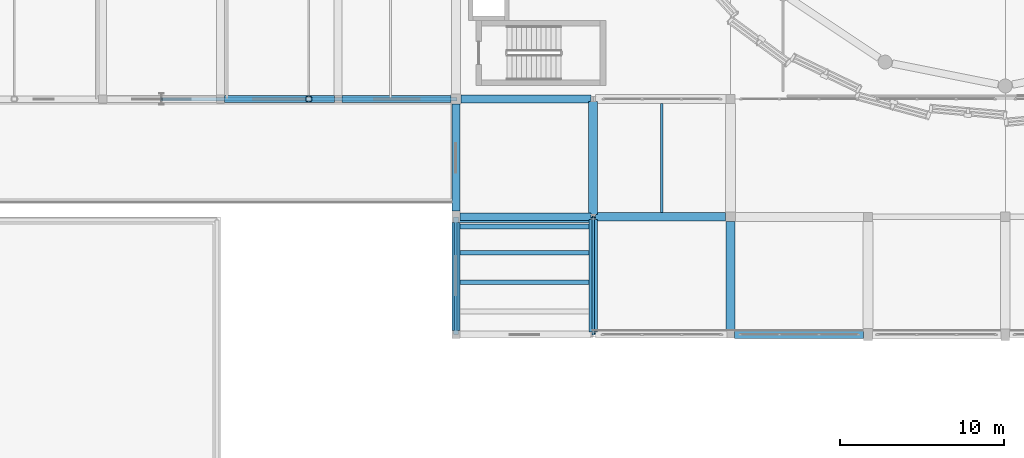
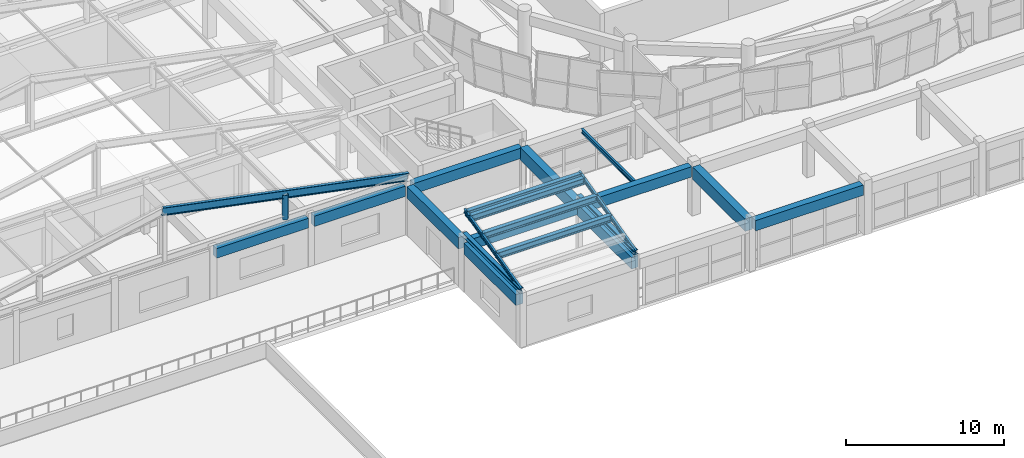
# One storey, part 8 of 74: 12 beams, 10 members.
"""IFC4 building model written with IfcOpenShell, lengths in metres."""

from ifc_helpers import new_model, si_unit, direction, frame, origin, origin_2d, place, context, subcontext, project, spatial, rectangle, hollow_circle, i_section, extrude, material, material_profile, profile_set, type_object, element, save


model = new_model("IFC4")

# Units and contexts
model_context = context("Model", 3, precision=1e-05, world=origin(), true_north=direction((0.0, 1.0)))
body_context = subcontext(model_context, "Body", "Model", "MODEL_VIEW")
ifc_project = project(units=[si_unit("LENGTHUNIT", "METRE"), si_unit("AREAUNIT", "SQUARE_METRE"), si_unit("VOLUMEUNIT", "CUBIC_METRE"), si_unit("PLANEANGLEUNIT", "RADIAN"), si_unit("MASSUNIT", "GRAM", prefix="KILO")], contexts=[model_context])

# Site, building, storey
site_placement = place(None, origin())
site = spatial("IfcSite", under=ifc_project, at=site_placement, CompositionType="ELEMENT")
building_placement = place(site_placement, origin())
building = spatial("IfcBuilding", under=site, at=building_placement, Name="Korsvaeld Concert Hall", CompositionType="ELEMENT")
storey_placement = place(building_placement, frame((0.0, 0.0, 9.0)))
storey = spatial("IfcBuildingStorey", under=building, at=storey_placement, Name="L02", CompositionType="ELEMENT", Elevation=9.0)

# Beams
ifc_material_1 = material(Name="Concrete C35/45", Category="concrete")
ifc_material_profile_1 = material_profile(ifc_material_1, rectangle(XDim=0.449951171875, YDim=0.75, at=origin_2d()), Name="RC 450x750")
ifc_profile_set_1 = profile_set([ifc_material_profile_1], Name="Concrete C35/45")
beam_type_1 = type_object("IfcBeamType", Name="BM-RC-450x750", PredefinedType="T_BEAM", material=ifc_profile_set_1)
beam_1_placement = place(storey_placement, frame((36.25, 43.199951171875, 3.465087890625), z_axis=(1.0, 0.0, 0.0), x_axis=(0.0, 1.0, 0.0)))
element("IfcBeam", 1, at=beam_1_placement, inside=storey, type_object=beam_type_1, Name="Primary girder 6-7/G L02", PredefinedType="T_BEAM", context=body_context, shape_type="SweptSolid", body=[
    extrude(rectangle(XDim=0.449951171875, YDim=0.75, at=origin_2d()), origin(), (0.0, 0.0, 1.0), 6.72509765625),
])
ifc_material_profile_2 = material_profile(ifc_material_1, rectangle(XDim=0.449951171875, YDim=0.800048828125, at=origin_2d()), Name="RC 450x800")
ifc_profile_set_2 = profile_set([ifc_material_profile_2], Name="Concrete C35/45")
beam_type_2 = type_object("IfcBeamType", Name="BM-RC-450x800", PredefinedType="T_BEAM", material=ifc_profile_set_2)
beam_2_placement = place(storey_placement, frame((50.64990234375, 36.0, 3.43994140625), z_axis=(1.0, 0.0, 0.0), x_axis=(0.0, 1.0, 0.0)))
element("IfcBeam", 2, at=beam_2_placement, inside=storey, type_object=beam_type_2, Name="Primary girder 8-9/F L02", PredefinedType="T_BEAM", context=body_context, shape_type="SweptSolid", body=[
    extrude(rectangle(XDim=0.449951171875, YDim=0.800048828125, at=origin_2d()), origin(), (0.0, 0.0, 1.0), 8.0),
])
beam_3_placement = place(storey_placement, frame((43.425048828125, 43.199951171875, 3.43994140625), z_axis=(1.0, 0.0, 0.0), x_axis=(0.0, 1.0, 0.0)))
element("IfcBeam", 3, at=beam_3_placement, inside=storey, type_object=beam_type_2, Name="Primary girder 7-8/G L02", PredefinedType="T_BEAM", context=body_context, shape_type="SweptSolid", body=[
    extrude(rectangle(XDim=0.449951171875, YDim=0.800048828125, at=origin_2d()), origin(), (0.0, 0.0, 1.0), 6.675048828125),
])
ifc_material_2 = material(Name="Concrete C40/50", Category="concrete")
ifc_material_profile_3 = material_profile(ifc_material_2, rectangle(XDim=0.5, YDim=0.800048828125, at=origin_2d()), Name="RC 500x800")
ifc_profile_set_3 = profile_set([ifc_material_profile_3], Name="Concrete C40/50")
beam_type_3 = type_object("IfcBeamType", Name="BM-RC-500x800", PredefinedType="T_BEAM", material=ifc_profile_set_3)
beam_4_placement = place(storey_placement, frame((67.425048828125, 28.800048828125, 3.43994140625), z_axis=(1.0, 0.0, 0.0), x_axis=(0.0, 1.0, 0.0)))
element("IfcBeam", 4, at=beam_4_placement, inside=storey, type_object=beam_type_3, Name="Primary girder 10-11/E L02", PredefinedType="T_BEAM", context=body_context, shape_type="SweptSolid", body=[
    extrude(rectangle(XDim=0.5, YDim=0.800048828125, at=origin_2d()), origin(), (0.0, 0.0, 1.0), 7.89990234375),
])
for number, where, z_axis, x_axis, name in (
    (5, (58.949951171875, 36.0, 3.43994140625), (1.0, 0.0, 0.0), (0.0, 1.0, 0.0), "Primary girder 9-10/F L02"),
    (6, (50.699951171875, 43.199951171875, 3.43994140625), (1.0, 0.0, 0.0), (0.0, 1.0, 0.0), "Primary girder 8-9/G L02"),
):
    element("IfcBeam", number, at=place(storey_placement, frame(where, z_axis=z_axis, x_axis=x_axis)), inside=storey, type_object=beam_type_3, Name=name, PredefinedType="T_BEAM", context=body_context, shape_type="SweptSolid", body=[
        extrude(rectangle(XDim=0.5, YDim=0.800048828125, at=origin_2d()), origin(), (0.0, 0.0, 1.0), 7.949951171875),
    ])
ifc_material_profile_4 = material_profile(ifc_material_2, rectangle(XDim=0.5, YDim=0.85009765625, at=origin_2d()), Name="RC 500x850")
ifc_profile_set_4 = profile_set([ifc_material_profile_4], Name="Concrete C40/50")
beam_type_4 = type_object("IfcBeamType", Name="BM-RC-500x850", PredefinedType="T_BEAM", material=ifc_profile_set_4)
beam_5_placement = place(storey_placement, frame((50.39990234375, 29.050048828125, 3.4150390625), z_axis=(0.0, 1.0, 0.0), x_axis=(-1.0, 0.0, 0.0)))
element("IfcBeam", 7, at=beam_5_placement, inside=storey, type_object=beam_type_4, Name="Primary girder 8/E-F L02", PredefinedType="T_BEAM", context=body_context, shape_type="SweptSolid", body=[
    extrude(rectangle(XDim=0.5, YDim=0.85009765625, at=origin_2d()), origin(), (0.0, 0.0, 1.0), 6.599853515625),
])
ifc_material_profile_5 = material_profile(ifc_material_2, rectangle(XDim=0.5, YDim=0.89990234375, at=origin_2d()), Name="RC 500x900")
ifc_profile_set_5 = profile_set([ifc_material_profile_5], Name="Concrete C40/50")
beam_type_5 = type_object("IfcBeamType", Name="BM-RC-500x900", PredefinedType="T_BEAM", material=ifc_profile_set_5)
beam_6_placement = place(storey_placement, frame((50.39990234375, 36.35009765625, 3.389892578125), z_axis=(0.0, 1.0, 0.0), x_axis=(-1.0, 0.0, 0.0)))
element("IfcBeam", 8, at=beam_6_placement, inside=storey, type_object=beam_type_5, Name="Primary girder 8/F-G L02", PredefinedType="T_BEAM", context=body_context, shape_type="SweptSolid", body=[
    extrude(rectangle(XDim=0.5, YDim=0.89990234375, at=origin_2d()), origin(), (0.0, 0.0, 1.0), 6.5498046875),
])
beam_7_placement = place(storey_placement, frame((58.800048828125, 28.949951171875, 3.389892578125), z_axis=(0.0, 1.0, 0.0), x_axis=(-1.0, 0.0, 0.0)))
element("IfcBeam", 9, at=beam_7_placement, inside=storey, type_object=beam_type_5, Name="Primary girder 9/E-F L02", PredefinedType="T_BEAM", context=body_context, shape_type="SweptSolid", body=[
    extrude(rectangle(XDim=0.5, YDim=0.89990234375, at=origin_2d()), origin(), (0.0, 0.0, 1.0), 6.900146484375),
])
ifc_material_profile_6 = material_profile(ifc_material_2, rectangle(XDim=0.550048828125, YDim=0.949951171875, at=origin_2d()), Name="RC 550x950")
ifc_profile_set_6 = profile_set([ifc_material_profile_6], Name="Concrete C40/50")
beam_type_6 = type_object("IfcBeamType", Name="BM-RC-550x950", PredefinedType="T_BEAM", material=ifc_profile_set_6)
beam_8_placement = place(storey_placement, frame((58.800048828125, 36.14990234375, 3.364990234375), z_axis=(0.0, 1.0, 0.0), x_axis=(-1.0, 0.0, 0.0)))
element("IfcBeam", 10, at=beam_8_placement, inside=storey, type_object=beam_type_6, Name="Primary girder 9/F-G L02", PredefinedType="T_BEAM", context=body_context, shape_type="SweptSolid", body=[
    extrude(rectangle(XDim=0.550048828125, YDim=0.949951171875, at=origin_2d()), origin(), (0.0, 0.0, 1.0), 6.900146484375),
])
beam_9_placement = place(storey_placement, frame((67.199951171875, 29.02490234375, 3.364990234375), z_axis=(0.0, 1.0, 0.0), x_axis=(-1.0, 0.0, 0.0)))
element("IfcBeam", 11, at=beam_9_placement, inside=storey, type_object=beam_type_6, Name="Primary girder 10/E-F L02", PredefinedType="T_BEAM", context=body_context, shape_type="SweptSolid", body=[
    extrude(rectangle(XDim=0.550048828125, YDim=0.949951171875, at=origin_2d()), origin(), (0.0, 0.0, 1.0), 6.675048828125),
])
ifc_material_3 = material(Name="Steel S355J2", Category="steel")
ifc_material_profile_7 = material_profile(ifc_material_3, i_section(OverallWidth=0.159912109375, OverallDepth=0.330078125, WebThickness=0.007568359375, FlangeThickness=0.011474609375, FilletRadius=0.01806640625, at=origin_2d()), Name="IPE 330")
ifc_profile_set_7 = profile_set([ifc_material_profile_7], Name="Steel S355J2")
beam_type_7 = type_object("IfcBeamType", Name="BM-STL-IPE330", PredefinedType="BEAM", material=ifc_profile_set_7)
beam_10_placement = place(storey_placement, frame((63.0, 36.25, 3.675048828125), z_axis=(0.0, 1.0, 0.0), x_axis=(-1.0, 0.0, 0.0)))
element("IfcBeam", 12, at=beam_10_placement, inside=storey, type_object=beam_type_7, Name="Secondary steel floor beam 9-10/F L02", PredefinedType="BEAM", context=body_context, shape_type="SweptSolid", body=[
    extrude(i_section(OverallWidth=0.159912109375, OverallDepth=0.330078125, WebThickness=0.007568359375, FlangeThickness=0.011474609375, FilletRadius=0.01806640625, at=origin_2d()), origin(), (0.0, 0.0, 1.0), 6.675048828125),
])

# Members
ifc_material_profile_8 = material_profile(ifc_material_3, i_section(OverallWidth=0.300048828125, OverallDepth=0.31005859375, WebThickness=0.009033203125, FlangeThickness=0.015380859375, FilletRadius=0.027099609375, at=origin_2d()), Name="HEA 320")
ifc_profile_set_8 = profile_set([ifc_material_profile_8], Name="Steel S355J2")
member_type_1 = type_object("IfcMemberType", Name="MEM-CHD-HEA320", PredefinedType="CHORD", material=ifc_profile_set_8)
member_1_placement = place(storey_placement, frame((58.800048828125, 28.800048828125, 4.25), z_axis=(0.0, 1.0, 0.0), x_axis=(-1.0, 0.0, 0.0)))
element("IfcMember", 13, at=member_1_placement, inside=storey, type_object=member_type_1, Name="Wintergarden skylight portal tie 2", PredefinedType="CHORD", context=body_context, shape_type="SweptSolid", body=[
    extrude(i_section(OverallWidth=0.300048828125, OverallDepth=0.31005859375, WebThickness=0.009033203125, FlangeThickness=0.015380859375, FilletRadius=0.027099609375, at=origin_2d()), origin(), (0.0, 0.0, 1.0), 7.199951171875),
])
ifc_material_profile_9 = material_profile(ifc_material_3, i_section(OverallWidth=0.300048828125, OverallDepth=0.489990234375, WebThickness=0.011962890625, FlangeThickness=0.02294921875, FilletRadius=0.027099609375, at=origin_2d()), Name="HEA 500")
ifc_profile_set_9 = profile_set([ifc_material_profile_9], Name="Steel S355J2")
member_type_2 = type_object("IfcMemberType", Name="MEM-CHD-HEA500", PredefinedType="CHORD", material=ifc_profile_set_9)
for number, where, z_axis, x_axis, name in (
    (14, (50.39990234375, 32.0, 5.02783203125), (1.0, 0.0, 0.0), (0.0, 1.0, 0.0), "Wintergarden skylight portal beam 320"),
    (15, (50.39990234375, 33.800048828125, 5.46533203125), (1.0, 0.0, 0.0), (0.0, 1.0, 0.0), "Wintergarden skylight portal beam 338"),
    (16, (50.39990234375, 35.39990234375, 5.854248046875), (1.0, 0.0, 0.0), (0.0, 1.0, 0.0), "Wintergarden skylight portal beam 354"),
    (17, (50.39990234375, 35.800048828125, 5.951416015625), (1.0, 0.0, 0.0), (0.0, 1.0, 0.0), "Wintergarden skylight portal beam 358"),
):
    element("IfcMember", number, at=place(storey_placement, frame(where, z_axis=z_axis, x_axis=x_axis)), inside=storey, type_object=member_type_2, Name=name, PredefinedType="CHORD", context=body_context, shape_type="SweptSolid", body=[
        extrude(i_section(OverallWidth=0.300048828125, OverallDepth=0.489990234375, WebThickness=0.011962890625, FlangeThickness=0.02294921875, FilletRadius=0.027099609375, at=origin_2d()), origin(), (0.0, 0.0, 1.0), 8.400146484375),
    ])
ifc_material_profile_10 = material_profile(ifc_material_3, i_section(OverallWidth=0.300048828125, OverallDepth=0.300048828125, WebThickness=0.010986328125, FlangeThickness=0.01904296875, FilletRadius=0.027099609375, at=origin_2d()), Name="HEB 300")
ifc_profile_set_10 = profile_set([ifc_material_profile_10], Name="Steel S355J2")
member_type_3 = type_object("IfcMemberType", Name="MEM-CHD-HEB300", PredefinedType="CHORD", material=ifc_profile_set_10)
member_2_placement = place(storey_placement, frame((50.39990234375, 28.800048828125, 4.25), z_axis=(0.0, 1.0, 0.0), x_axis=(-1.0, 0.0, 0.0)))
element("IfcMember", 18, at=member_2_placement, inside=storey, type_object=member_type_3, Name="Wintergarden skylight portal tie 1", PredefinedType="CHORD", context=body_context, shape_type="SweptSolid", body=[
    extrude(i_section(OverallWidth=0.300048828125, OverallDepth=0.300048828125, WebThickness=0.010986328125, FlangeThickness=0.01904296875, FilletRadius=0.027099609375, at=origin_2d()), origin(), (0.0, 0.0, 1.0), 7.199951171875),
])
ifc_material_profile_11 = material_profile(ifc_material_3, i_section(OverallWidth=0.14990234375, OverallDepth=0.300048828125, WebThickness=0.007080078125, FlangeThickness=0.0107421875, FilletRadius=0.014892578125, at=origin_2d()), Name="IPE 300")
ifc_profile_set_11 = profile_set([ifc_material_profile_11], Name="Steel S355J2")
member_type_4 = type_object("IfcMemberType", Name="MEM-RAF-IPE300", PredefinedType="RAFTER", material=ifc_profile_set_11)
for number, where, z_axis, x_axis, name in (
    (19, (50.39990234375, 28.800048828125, 4.300048828125), (0.0, 0.970140565046, 0.242543365301), (-1.0, 0.0, 0.0), "Wintergarden skylight portal rafter 1"),
    (20, (58.800048828125, 28.800048828125, 4.300048828125), (0.0, 0.970140565046, 0.242543365301), (-1.0, 0.0, 0.0), "Wintergarden skylight portal rafter 2"),
):
    element("IfcMember", number, at=place(storey_placement, frame(where, z_axis=z_axis, x_axis=x_axis)), inside=storey, type_object=member_type_4, Name=name, PredefinedType="RAFTER", context=body_context, shape_type="SweptSolid", body=[
        extrude(i_section(OverallWidth=0.14990234375, OverallDepth=0.300048828125, WebThickness=0.007080078125, FlangeThickness=0.0107421875, FilletRadius=0.014892578125, at=origin_2d()), origin(), (0.0, 0.0, 1.0), 7.421630859375),
    ])
ifc_material_profile_12 = material_profile(ifc_material_3, i_section(OverallWidth=0.219970703125, OverallDepth=0.60009765625, WebThickness=0.011962890625, FlangeThickness=0.01904296875, FilletRadius=0.02392578125, at=origin_2d()), Name="IPE 600")
ifc_profile_set_12 = profile_set([ifc_material_profile_12], Name="Steel S355J2")
member_type_5 = type_object("IfcMemberType", Name="MEM-RAF-IPE600", PredefinedType="RAFTER", material=ifc_profile_set_12)
member_3_placement = place(storey_placement, frame((50.39990234375, 43.199951171875, 4.35009765625), z_axis=(-0.980582210276, 0.0, 0.196108462057), x_axis=(0.0, -1.0, 0.0)))
element("IfcMember", 21, at=member_3_placement, inside=storey, type_object=member_type_5, Name="Orchestra Rehearsal east rafter 1", PredefinedType="RAFTER", context=body_context, shape_type="SweptSolid", body=[
    extrude(i_section(OverallWidth=0.219970703125, OverallDepth=0.60009765625, WebThickness=0.011962890625, FlangeThickness=0.01904296875, FilletRadius=0.02392578125, at=origin_2d()), origin(), (0.0, 0.0, 1.0), 18.3564453125),
])
ifc_material_profile_13 = material_profile(ifc_material_3, hollow_circle(Radius=0.203125, WallThickness=0.01611328125, at=origin_2d()), Name="CHS 406.4x16")
ifc_profile_set_13 = profile_set([ifc_material_profile_13], Name="Steel S355J2")
member_type_6 = type_object("IfcMemberType", Name="MEM-STR-CHS406", PredefinedType="STRUT", material=ifc_profile_set_13)
member_4_placement = place(storey_placement, frame((41.39990234375, 43.199951171875, 4.25), z_axis=(0.0, 0.0, 1.0), x_axis=(1.0, 0.0, 0.0)))
element("IfcMember", 22, at=member_4_placement, inside=storey, type_object=member_type_6, Name="Orchestra Rehearsal truss web 1.41", PredefinedType="STRUT", context=body_context, shape_type="SweptSolid", body=[
    extrude(hollow_circle(Radius=0.203125, WallThickness=0.01611328125, at=origin_2d()), origin(), (0.0, 0.0, 1.0), 1.89990234375),
])

save(model, "model.ifc")
